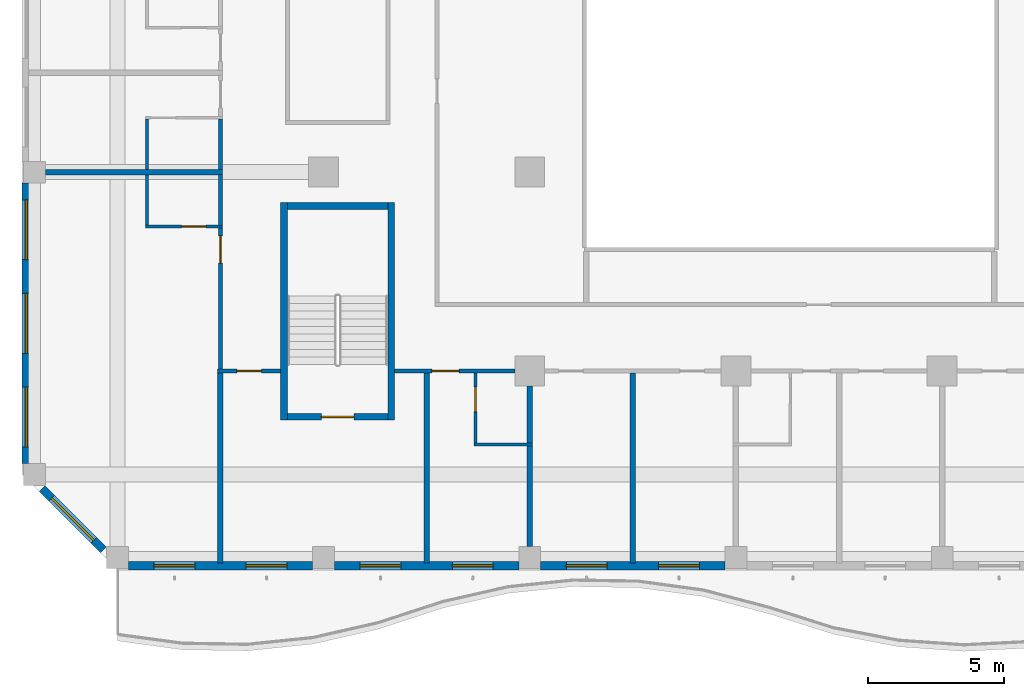
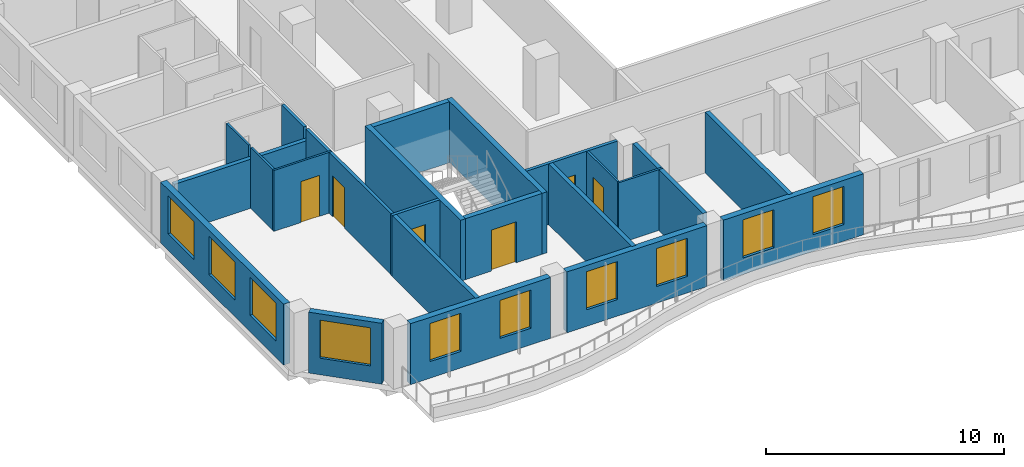
# One storey, part 2 of 22: 25 walls, 10 windows, 6 doors, 16 openings.
"""IFC4 building model written with IfcOpenShell, lengths in metres."""

from ifc_helpers import new_model, si_unit, direction, frame, frame_2d, origin, place, context, subcontext, project, spatial, rectangle, extrude, source, transform, mapped, material, layer, layer_set, type_object, element, fill, save


model = new_model("IFC4")

# Units and contexts
model_context = context("Model", 3, precision=1e-05, world=origin(), true_north=direction((0.0, 1.0)))
body_context = subcontext(model_context, "Body", "Model", "MODEL_VIEW")
ifc_project = project(units=[si_unit("LENGTHUNIT", "METRE"), si_unit("AREAUNIT", "SQUARE_METRE"), si_unit("VOLUMEUNIT", "CUBIC_METRE"), si_unit("PLANEANGLEUNIT", "RADIAN"), si_unit("MASSUNIT", "GRAM", prefix="KILO")], contexts=[model_context])

# Site, building, storey
site_placement = place(None, origin())
site = spatial("IfcSite", under=ifc_project, at=site_placement, CompositionType="ELEMENT")
building_placement = place(site_placement, origin())
building = spatial("IfcBuilding", under=site, at=building_placement, Name="Kilnfold Tower and Market Hall", CompositionType="ELEMENT")
storey_placement = place(building_placement, frame((0.0, 0.0, 143.89990234375)))
storey = spatial("IfcBuildingStorey", under=building, at=storey_placement, Name="L32", CompositionType="ELEMENT", Elevation=143.89990234375)

# Wall, opening, door
ifc_material_1 = material(Name="Gypsum board on steel studs", Category="steel")
ifc_layer_1 = layer(ifc_material_1, 0.14990234375)
ifc_layer_set_1 = layer_set([ifc_layer_1], Name="Gypsum board on steel studs")
wall_type_1 = type_object("IfcWallType", Name="WALL CORRIDOR 150", PredefinedType="PARTITIONING", material=ifc_layer_set_1)
wall_1_placement = place(storey_placement, frame((-13.550048828125, -13.93798828125, 0.0), z_axis=(0.0, 0.0, 1.0), x_axis=(1.0, 0.0, 0.0)))
wall_1 = element("IfcWall", 1, at=wall_1_placement, inside=storey, type_object=wall_type_1, Name="Partition LY21.1", PredefinedType="PARTITIONING", context=body_context, shape_type="SweptSolid", body=[
    extrude(rectangle(XDim=4.4169921875, YDim=0.14990234375, at=frame_2d((2.20849609375, 0.0))), origin(), (0.0, 0.0, 1.0), 3.1201171875),
])
opening_1_placement = place(wall_1_placement, frame((1.364990234375, 0.0, 0.0)))
opening_1 = element("IfcOpeningElement", 2, at=opening_1_placement, cuts=wall_1, Name="Opening D1", PredefinedType="OPENING", context=body_context, shape_type="SweptSolid", body=[
    extrude(rectangle(XDim=1.0, YDim=2.10009765625, at=frame_2d((0.5, 1.050048828125))), frame((0.0, 0.0849609375, 0.0), z_axis=(0.0, -1.0, 0.0), x_axis=(1.0, 0.0, 0.0)), (0.0, 0.0, 1.0), 0.169921875),
])
ifc_material_2 = material(Name="Timber veneer door leaf in steel frame", Category="steel")
door_type_1 = type_object("IfcDoorType", Name="DOOR ENTRY 1000 X2100", OperationType="NOTDEFINED", PredefinedType="DOOR", material=ifc_material_2)
door_1_placement = place(opening_1_placement, origin())
door_1 = element("IfcDoor", 3, at=door_1_placement, inside=storey, type_object=door_type_1, Name="Door D1", OperationType="SINGLE_SWING_LEFT", OverallHeight=2.10009765625, OverallWidth=1.0, PredefinedType="DOOR", context=body_context, shape_type="SweptSolid", body=[
    extrude(rectangle(XDim=1.0, YDim=2.10009765625, at=frame_2d((0.5, 1.050048828125))), frame((0.0, 0.02490234375, 0.0), z_axis=(0.0, -1.0, 0.0), x_axis=(1.0, 0.0, 0.0)), (0.0, 0.0, 1.0), 0.050048828125),
])
fill(opening_1, door_1)

wall_2_placement = place(storey_placement, frame((-20.05908203125, -13.93798828125, 0.0), z_axis=(0.0, 0.0, 1.0), x_axis=(1.0, 0.0, 0.0)))
wall_2 = element("IfcWall", 4, at=wall_2_placement, inside=storey, type_object=wall_type_1, Name="Partition LY21.2", PredefinedType="PARTITIONING", context=body_context, shape_type="SweptSolid", body=[
    extrude(rectangle(XDim=2.30908203125, YDim=0.14990234375, at=frame_2d((1.154541015625, 0.0))), origin(), (0.0, 0.0, 1.0), 3.1201171875),
])
opening_2_placement = place(wall_2_placement, frame((0.705078125, 0.0, 0.0)))
opening_2 = element("IfcOpeningElement", 5, at=opening_2_placement, cuts=wall_2, Name="Opening D2", PredefinedType="OPENING", context=body_context, shape_type="SweptSolid", body=[
    extrude(rectangle(XDim=0.89990234375, YDim=2.10009765625, at=frame_2d((0.449951171875, 1.050048828125))), frame((0.0, 0.0849609375, 0.0), z_axis=(0.0, -1.0, 0.0), x_axis=(1.0, 0.0, 0.0)), (0.0, 0.0, 1.0), 0.169921875),
])
ifc_material_3 = material(Name="Timber veneer door leaf in steel frame", Category="steel")
door_type_2 = type_object("IfcDoorType", Name="DOOR ROOM 900 X2100", OperationType="NOTDEFINED", PredefinedType="DOOR", material=ifc_material_3)
door_2_placement = place(opening_2_placement, origin())
door_2 = element("IfcDoor", 6, at=door_2_placement, inside=storey, type_object=door_type_2, Name="Door D2", OperationType="SINGLE_SWING_RIGHT", OverallHeight=2.10009765625, OverallWidth=0.89990234375, PredefinedType="DOOR", context=body_context, shape_type="SweptSolid", body=[
    extrude(rectangle(XDim=0.89990234375, YDim=2.10009765625, at=frame_2d((0.449951171875, 1.050048828125))), frame((0.0, 0.02490234375, 0.0), z_axis=(0.0, -1.0, 0.0), x_axis=(1.0, 0.0, 0.0)), (0.0, 0.0, 1.0), 0.050048828125),
])
fill(opening_2, door_2)

wall_3_placement = place(storey_placement, frame((-19.958984375, -13.863037109375, 0.0), z_axis=(0.0, 0.0, 1.0), x_axis=(0.0, 1.0, 0.0)))
wall_3 = element("IfcWall", 7, at=wall_3_placement, inside=storey, type_object=wall_type_1, Name="Partition LY21.10", PredefinedType="PARTITIONING", context=body_context, shape_type="SweptSolid", body=[
    extrude(rectangle(XDim=5.197998046875, YDim=0.14990234375, at=frame_2d((2.59912109375, 0.0))), origin(), (0.0, 0.0, 1.0), 3.1201171875),
])
opening_3_placement = place(wall_3_placement, frame((3.89501953125, 0.0, 0.0)))
opening_3 = element("IfcOpeningElement", 8, at=opening_3_placement, cuts=wall_3, Name="Opening D1", PredefinedType="OPENING", context=body_context, shape_type="SweptSolid", body=[
    extrude(rectangle(XDim=1.0, YDim=2.10009765625, at=frame_2d((0.5, 1.050048828125))), frame((0.0, 0.0849609375, 0.0), z_axis=(0.0, -1.0, 0.0), x_axis=(1.0, 0.0, 0.0)), (0.0, 0.0, 1.0), 0.169921875),
])
door_3_placement = place(opening_3_placement, origin())
door_3 = element("IfcDoor", 9, at=door_3_placement, inside=storey, type_object=door_type_1, Name="Door D1", OperationType="SINGLE_SWING_RIGHT", OverallHeight=2.10009765625, OverallWidth=1.0, PredefinedType="DOOR", context=body_context, shape_type="SweptSolid", body=[
    extrude(rectangle(XDim=1.0, YDim=2.10009765625, at=frame_2d((0.5, 1.050048828125))), frame((0.0, 0.02490234375, 0.0), z_axis=(0.0, -1.0, 0.0), x_axis=(1.0, 0.0, 0.0)), (0.0, 0.0, 1.0), 0.050048828125),
])
fill(opening_3, door_3)

# Walls
for number, where, z_axis, x_axis, name in (
    (10, (-19.958984375, -8.5849609375, 0.0), (0.0, 0.0, 1.0), (0.0, 1.0, 0.0), "Partition LY21.11"),
    (11, (-19.958984375, -6.534912109375, 0.0), (0.0, 0.0, 1.0), (0.0, 1.0, 0.0), "Partition LY21.13"),
):
    element("IfcWall", number, at=place(storey_placement, frame(where, z_axis=z_axis, x_axis=x_axis)), inside=storey, type_object=wall_type_1, Name=name, PredefinedType="PARTITIONING", context=body_context, shape_type="SweptSolid", body=[
        extrude(rectangle(XDim=1.869873046875, YDim=0.14990234375, at=frame_2d((0.93505859375, 0.0))), origin(), (0.0, 0.0, 1.0), 3.1201171875),
    ])

# Wall, opening, door
ifc_material_4 = material(Name="Gypsum board on steel studs", Category="steel")
ifc_layer_2 = layer(ifc_material_4, 0.10009765625)
ifc_layer_set_2 = layer_set([ifc_layer_2], Name="Gypsum board on steel studs")
wall_type_2 = type_object("IfcWallType", Name="WALL PARTITION 100", PredefinedType="PARTITIONING", material=ifc_layer_set_2)
wall_4_placement = place(storey_placement, frame((-10.5830078125, -16.590087890625, 0.0), z_axis=(0.0, 0.0, 1.0), x_axis=(0.0, 1.0, 0.0)))
wall_4 = element("IfcWall", 12, at=wall_4_placement, inside=storey, type_object=wall_type_2, Name="Partition LY21.47", PredefinedType="PARTITIONING", context=body_context, shape_type="SweptSolid", body=[
    extrude(rectangle(XDim=2.5751953125, YDim=0.10009765625, at=frame_2d((1.28759765625, 0.0))), origin(), (0.0, 0.0, 1.0), 3.1201171875),
])
opening_4_placement = place(wall_4_placement, frame((1.156005859375, 0.0, 0.0)))
opening_4 = element("IfcOpeningElement", 13, at=opening_4_placement, cuts=wall_4, Name="Opening D3", PredefinedType="OPENING", context=body_context, shape_type="SweptSolid", body=[
    extrude(rectangle(XDim=0.89990234375, YDim=2.10009765625, at=frame_2d((0.449951171875, 1.050048828125))), frame((0.0, 0.06005859375, 0.0), z_axis=(0.0, -1.0, 0.0), x_axis=(1.0, 0.0, 0.0)), (0.0, 0.0, 1.0), 0.1201171875),
])
ifc_material_5 = material(Name="Timber veneer door leaf in steel frame", Category="steel")
door_type_3 = type_object("IfcDoorType", Name="DOOR WC 900 X2100", OperationType="NOTDEFINED", PredefinedType="DOOR", material=ifc_material_5)
door_4_placement = place(opening_4_placement, origin())
door_4 = element("IfcDoor", 14, at=door_4_placement, inside=storey, type_object=door_type_3, Name="Door D3", OperationType="SINGLE_SWING_RIGHT", OverallHeight=2.10009765625, OverallWidth=0.89990234375, PredefinedType="DOOR", context=body_context, shape_type="SweptSolid", body=[
    extrude(rectangle(XDim=0.89990234375, YDim=2.10009765625, at=frame_2d((0.449951171875, 1.050048828125))), frame((0.0, 0.02490234375, 0.0), z_axis=(0.0, -1.0, 0.0), x_axis=(1.0, 0.0, 0.0)), (0.0, 0.0, 1.0), 0.050048828125),
])
fill(opening_4, door_4)

# Walls
wall_5_placement = place(storey_placement, frame((-10.633056640625, -16.639892578125, 0.0), z_axis=(0.0, 0.0, 1.0), x_axis=(1.0, 0.0, 0.0)))
element("IfcWall", 15, at=wall_5_placement, inside=storey, type_object=wall_type_2, Name="Partition LY21.48", PredefinedType="PARTITIONING", context=body_context, shape_type="SweptSolid", body=[
    extrude(rectangle(XDim=2.150146484375, YDim=0.10009765625, at=frame_2d((1.0751953125, 0.0))), origin(), (0.0, 0.0, 1.0), 3.1201171875),
])
wall_6_placement = place(storey_placement, frame((-22.658935546875, -8.574951171875, 0.0), z_axis=(0.0, 0.0, 1.0), x_axis=(0.0, 1.0, 0.0)))
element("IfcWall", 16, at=wall_6_placement, inside=storey, type_object=wall_type_2, Name="Partition LY21.65", PredefinedType="PARTITIONING", context=body_context, shape_type="SweptSolid", body=[
    extrude(rectangle(XDim=1.849853515625, YDim=0.10009765625, at=frame_2d((0.9248046875, 0.0))), origin(), (0.0, 0.0, 1.0), 3.1201171875),
])

# Wall, opening, door
wall_7_placement = place(storey_placement, frame((-19.885986328125, -8.625, 0.0), z_axis=(0.0, 0.0, 1.0), x_axis=(-1.0, 0.0, 0.0)))
wall_7 = element("IfcWall", 17, at=wall_7_placement, inside=storey, type_object=wall_type_2, Name="Partition LY21.66", PredefinedType="PARTITIONING", context=body_context, shape_type="SweptSolid", body=[
    extrude(rectangle(XDim=2.822998046875, YDim=0.10009765625, at=frame_2d((1.41162109375, 0.0))), origin(), (0.0, 0.0, 1.0), 3.1201171875),
])
opening_5_placement = place(wall_7_placement, frame((0.60595703125, 0.0, 0.0)))
opening_5 = element("IfcOpeningElement", 18, at=opening_5_placement, cuts=wall_7, Name="Opening D3", PredefinedType="OPENING", context=body_context, shape_type="SweptSolid", body=[
    extrude(rectangle(XDim=0.89990234375, YDim=2.10009765625, at=frame_2d((0.449951171875, 1.050048828125))), frame((0.0, 0.06005859375, 0.0), z_axis=(0.0, -1.0, 0.0), x_axis=(1.0, 0.0, 0.0)), (0.0, 0.0, 1.0), 0.1201171875),
])
door_5_placement = place(opening_5_placement, origin())
door_5 = element("IfcDoor", 19, at=door_5_placement, inside=storey, type_object=door_type_3, Name="Door D3", OperationType="SINGLE_SWING_LEFT", OverallHeight=2.10009765625, OverallWidth=0.89990234375, PredefinedType="DOOR", context=body_context, shape_type="SweptSolid", body=[
    extrude(rectangle(XDim=0.89990234375, YDim=2.10009765625, at=frame_2d((0.449951171875, 1.050048828125))), frame((0.0, 0.02490234375, 0.0), z_axis=(0.0, -1.0, 0.0), x_axis=(1.0, 0.0, 0.0)), (0.0, 0.0, 1.0), 0.050048828125),
])
fill(opening_5, door_5)

# Walls
wall_8_placement = place(storey_placement, frame((-22.660888671875, -6.52490234375, 0.0), z_axis=(0.0, 0.0, 1.0), x_axis=(0.0, 1.0, 0.0)))
element("IfcWall", 20, at=wall_8_placement, inside=storey, type_object=wall_type_2, Name="Partition LY21.69", PredefinedType="PARTITIONING", context=body_context, shape_type="SweptSolid", body=[
    extrude(rectangle(XDim=1.849853515625, YDim=0.10009765625, at=frame_2d((0.9248046875, 0.0))), origin(), (0.0, 0.0, 1.0), 3.1201171875),
])
ifc_material_6 = material(Name="Gypsum board on steel studs", Category="steel")
ifc_layer_3 = layer(ifc_material_6, 0.199951171875)
ifc_layer_set_3 = layer_set([ifc_layer_3], Name="Gypsum board on steel studs")
wall_type_3 = type_object("IfcWallType", Name="WALL PARTY 200", PredefinedType="PARTITIONING", material=ifc_layer_set_3)
for number, where, z_axis, x_axis, name in (
    (21, (-12.375, -21.0, 0.0), (0.0, 0.0, 1.0), (0.0, 1.0, 0.0), "Partition LY21.45"),
    (22, (-19.958984375, -21.0, 0.0), (0.0, 0.0, 1.0), (0.0, 1.0, 0.0), "Partition LY21.46"),
):
    element("IfcWall", number, at=place(storey_placement, frame(where, z_axis=z_axis, x_axis=x_axis)), inside=storey, type_object=wall_type_3, Name=name, PredefinedType="PARTITIONING", context=body_context, shape_type="SweptSolid", body=[
        extrude(rectangle(XDim=6.985107421875, YDim=0.199951171875, at=frame_2d((3.49267578125, 0.0))), origin(), (0.0, 0.0, 1.0), 3.1201171875),
    ])
wall_9_placement = place(storey_placement, frame((-8.5830078125, -20.39990234375, 0.0), z_axis=(0.0, 0.0, 1.0), x_axis=(0.0, 1.0, 0.0)))
element("IfcWall", 23, at=wall_9_placement, inside=storey, type_object=wall_type_3, Name="Partition LY21.49", PredefinedType="PARTITIONING", context=body_context, shape_type="SweptSolid", body=[
    extrude(rectangle(XDim=3.7099609375, YDim=0.199951171875, at=frame_2d((1.85498046875, 0.0))), origin(), (0.0, 0.0, 1.0), 3.1201171875),
])
wall_10_placement = place(storey_placement, frame((-8.5830078125, -16.590087890625, 0.0), z_axis=(0.0, 0.0, 1.0), x_axis=(0.0, 1.0, 0.0)))
element("IfcWall", 24, at=wall_10_placement, inside=storey, type_object=wall_type_3, Name="Partition LY21.50", PredefinedType="PARTITIONING", context=body_context, shape_type="SweptSolid", body=[
    extrude(rectangle(XDim=2.10205078125, YDim=0.199951171875, at=frame_2d((1.051025390625, 0.0))), origin(), (0.0, 0.0, 1.0), 3.1201171875),
])
wall_11_placement = place(storey_placement, frame((-4.7919921875, -21.0, 0.0), z_axis=(0.0, 0.0, 1.0), x_axis=(0.0, 1.0, 0.0)))
element("IfcWall", 25, at=wall_11_placement, inside=storey, type_object=wall_type_3, Name="Partition LY21.51", PredefinedType="PARTITIONING", context=body_context, shape_type="SweptSolid", body=[
    extrude(rectangle(XDim=6.985107421875, YDim=0.199951171875, at=frame_2d((3.49267578125, 0.0))), origin(), (0.0, 0.0, 1.0), 3.1201171875),
])
wall_12_placement = place(storey_placement, frame((-26.39990234375, -6.625, 0.0), z_axis=(0.0, 0.0, 1.0), x_axis=(1.0, 0.0, 0.0)))
element("IfcWall", 26, at=wall_12_placement, inside=storey, type_object=wall_type_3, Name="Partition LY21.67", PredefinedType="PARTITIONING", context=body_context, shape_type="SweptSolid", body=[
    extrude(rectangle(XDim=6.513916015625, YDim=0.199951171875, at=frame_2d((3.2568359375, 0.0))), origin(), (0.0, 0.0, 1.0), 2.52001953125),
])

# Wall, opening, door
ifc_material_7 = material(Name="Concrete C70", Category="concrete")
ifc_layer_4 = layer(ifc_material_7, 0.25)
ifc_layer_set_4 = layer_set([ifc_layer_4], Name="Concrete C70")
wall_type_4 = type_object("IfcWallType", Name="CORE WALL 250 C70", PredefinedType="SHEAR", material=ifc_layer_set_4)
shared_shape_1 = source(origin(), body_context, "Body", "SweptSolid", [
    extrude(rectangle(XDim=3.699951171875, YDim=0.25, at=frame_2d((1.85009765625, 0.0))), origin(), (0.0, 0.0, 1.0), 3.1201171875),
])
wall_13_placement = place(storey_placement, frame((-17.5, -15.625, 0.0), z_axis=(0.0, 0.0, 1.0), x_axis=(1.0, 0.0, 0.0)))
wall_13 = element("IfcWall", 27, at=wall_13_placement, inside=storey, type_object=wall_type_4, Name="Stair enclosure ST3", PredefinedType="SHEAR", context=body_context, shape_type="MappedRepresentation", body=[
    mapped(shared_shape_1, transform((0.0, 0.0, 0.0))),
])
opening_6_placement = place(wall_13_placement, frame((1.25, 0.0, 0.0)))
opening_6 = element("IfcOpeningElement", 28, at=opening_6_placement, cuts=wall_13, Name="Opening SD1", PredefinedType="OPENING", context=body_context, shape_type="SweptSolid", body=[
    extrude(rectangle(XDim=1.199951171875, YDim=2.10009765625, at=frame_2d((0.60009765625, 1.050048828125))), frame((0.0, 0.135009765625, 0.0), z_axis=(0.0, -1.0, 0.0), x_axis=(1.0, 0.0, 0.0)), (0.0, 0.0, 1.0), 0.27001953125),
])
ifc_material_8 = material(Name="Steel door set with fire-resisting leaf", Category="steel")
door_type_4 = type_object("IfcDoorType", Name="STAIR FLOOR DOOR 1200X2100", OperationType="NOTDEFINED", PredefinedType="DOOR", material=ifc_material_8)
door_6_placement = place(opening_6_placement, origin())
door_6 = element("IfcDoor", 29, at=door_6_placement, inside=storey, type_object=door_type_4, Name="Exit stair ST3 door", OperationType="DOUBLE_DOOR_SINGLE_SWING", OverallHeight=2.10009765625, OverallWidth=1.199951171875, PredefinedType="DOOR", context=body_context, shape_type="SweptSolid", body=[
    extrude(rectangle(XDim=1.199951171875, YDim=2.10009765625, at=frame_2d((0.60009765625, 1.050048828125))), frame((0.0, 0.02490234375, 0.0), z_axis=(0.0, -1.0, 0.0), x_axis=(1.0, 0.0, 0.0)), (0.0, 0.0, 1.0), 0.050048828125),
])
fill(opening_6, door_6)

# Walls
wall_14_placement = place(storey_placement, frame((-17.5, -7.875, 0.0), z_axis=(0.0, 0.0, 1.0), x_axis=(1.0, 0.0, 0.0)))
element("IfcWall", 30, at=wall_14_placement, inside=storey, type_object=wall_type_4, Name="Stair enclosure ST3", PredefinedType="SHEAR", context=body_context, shape_type="MappedRepresentation", body=[
    mapped(shared_shape_1, transform((0.0, 0.0, 0.0))),
])
shared_shape_2 = source(origin(), body_context, "Body", "SweptSolid", [
    extrude(rectangle(XDim=8.0, YDim=0.25, at=frame_2d((4.0, 0.0))), origin(), (0.0, 0.0, 1.0), 3.1201171875),
])
for number, where, z_axis, x_axis, name in (
    (31, (-17.625, -15.75, 0.0), (0.0, 0.0, 1.0), (0.0, 1.0, 0.0), "Stair enclosure ST3"),
    (32, (-13.675048828125, -15.75, 0.0), (0.0, 0.0, 1.0), (0.0, 1.0, 0.0), "Stair enclosure ST3"),
):
    element("IfcWall", number, at=place(storey_placement, frame(where, z_axis=z_axis, x_axis=x_axis)), inside=storey, type_object=wall_type_4, Name=name, PredefinedType="SHEAR", context=body_context, shape_type="MappedRepresentation", body=[
        mapped(shared_shape_2, transform((0.0, 0.0, 0.0))),
    ])

# Wall, openings, windows
ifc_material_9 = material(Name="Precast concrete C50/60", Category="concrete")
ifc_layer_5 = layer(ifc_material_9, 0.300048828125)
ifc_layer_set_5 = layer_set([ifc_layer_5], Name="Precast concrete C50/60")
wall_type_5 = type_object("IfcWallType", Name="PRECAST WALL 300", PredefinedType="SOLIDWALL", material=ifc_layer_set_5)
shared_shape_3 = source(origin(), body_context, "Body", "SweptSolid", [
    extrude(rectangle(XDim=6.783447265625, YDim=0.300048828125, at=frame_2d((3.3916015625, 0.0))), origin(), (0.0, 0.0, 1.0), 3.1201171875),
])
wall_15_placement = place(storey_placement, frame((-23.35009765625, -21.10009765625, 0.0), z_axis=(0.0, 0.0, 1.0), x_axis=(1.0, 0.0, 0.0)))
wall_15 = element("IfcWall", 33, at=wall_15_placement, inside=storey, type_object=wall_type_5, Name="External wall L32 S", PredefinedType="SOLIDWALL", context=body_context, shape_type="MappedRepresentation", body=[
    mapped(shared_shape_3, transform((0.0, 0.0, 0.0))),
])
opening_7_placement = place(wall_15_placement, frame((0.94580078125, 0.0, 0.85009765625)))
opening_7 = element("IfcOpeningElement", 34, at=opening_7_placement, cuts=wall_15, Name="Opening W4", PredefinedType="OPENING", context=body_context, shape_type="SweptSolid", body=[
    extrude(rectangle(XDim=1.5, YDim=1.949951171875, at=frame_2d((0.75, 0.97509765625))), frame((0.0, 0.16015625, 0.0), z_axis=(0.0, -1.0, 0.0), x_axis=(1.0, 0.0, 0.0)), (0.0, 0.0, 1.0), 0.320068359375),
])
opening_8_placement = place(wall_15_placement, frame((4.33740234375, 0.0, 0.85009765625)))
opening_8 = element("IfcOpeningElement", 35, at=opening_8_placement, cuts=wall_15, Name="Opening W4", PredefinedType="OPENING", context=body_context, shape_type="SweptSolid", body=[
    extrude(rectangle(XDim=1.5, YDim=1.949951171875, at=frame_2d((0.75, 0.97509765625))), frame((0.0, 0.16015625, 0.0), z_axis=(0.0, -1.0, 0.0), x_axis=(1.0, 0.0, 0.0)), (0.0, 0.0, 1.0), 0.320068359375),
])
ifc_material_10 = material(Name="Aluminium frame and double glazing", Category="aluminium")
window_type_1 = type_object("IfcWindowType", Name="WINDOW W4 1500X1950", PartitioningType="SINGLE_PANEL", PredefinedType="WINDOW", material=ifc_material_10)
window_1_placement = place(opening_7_placement, origin())
window_1 = element("IfcWindow", 36, at=window_1_placement, inside=storey, type_object=window_type_1, Name="Window W4 L32 S-1", OverallHeight=1.949951171875, OverallWidth=1.5, PartitioningType="SINGLE_PANEL", PredefinedType="WINDOW", context=body_context, shape_type="SweptSolid", body=[
    extrude(rectangle(XDim=1.5, YDim=1.949951171875, at=frame_2d((0.75, 0.97509765625))), frame((0.0, 0.030029296875, 0.0), z_axis=(0.0, -1.0, 0.0), x_axis=(1.0, 0.0, 0.0)), (0.0, 0.0, 1.0), 0.06005859375),
])
fill(opening_7, window_1)
window_2_placement = place(opening_8_placement, origin())
window_2 = element("IfcWindow", 37, at=window_2_placement, inside=storey, type_object=window_type_1, Name="Window W4 L32 S-2", OverallHeight=1.949951171875, OverallWidth=1.5, PartitioningType="SINGLE_PANEL", PredefinedType="WINDOW", context=body_context, shape_type="SweptSolid", body=[
    extrude(rectangle(XDim=1.5, YDim=1.949951171875, at=frame_2d((0.75, 0.97509765625))), frame((0.0, 0.030029296875, 0.0), z_axis=(0.0, -1.0, 0.0), x_axis=(1.0, 0.0, 0.0)), (0.0, 0.0, 1.0), 0.06005859375),
])
fill(opening_8, window_2)

wall_16_placement = place(storey_placement, frame((-8.183349609375, -21.10009765625, 0.0), z_axis=(0.0, 0.0, 1.0), x_axis=(1.0, 0.0, 0.0)))
wall_16 = element("IfcWall", 38, at=wall_16_placement, inside=storey, type_object=wall_type_5, Name="External wall L32 S", PredefinedType="SOLIDWALL", context=body_context, shape_type="MappedRepresentation", body=[
    mapped(shared_shape_3, transform((0.0, 0.0, 0.0))),
])
opening_9_placement = place(wall_16_placement, frame((0.94580078125, 0.0, 0.85009765625)))
opening_9 = element("IfcOpeningElement", 39, at=opening_9_placement, cuts=wall_16, Name="Opening W4", PredefinedType="OPENING", context=body_context, shape_type="SweptSolid", body=[
    extrude(rectangle(XDim=1.5, YDim=1.949951171875, at=frame_2d((0.75, 0.97509765625))), frame((0.0, 0.16015625, 0.0), z_axis=(0.0, -1.0, 0.0), x_axis=(1.0, 0.0, 0.0)), (0.0, 0.0, 1.0), 0.320068359375),
])
opening_10_placement = place(wall_16_placement, frame((4.33740234375, 0.0, 0.85009765625)))
opening_10 = element("IfcOpeningElement", 40, at=opening_10_placement, cuts=wall_16, Name="Opening W4", PredefinedType="OPENING", context=body_context, shape_type="SweptSolid", body=[
    extrude(rectangle(XDim=1.5, YDim=1.949951171875, at=frame_2d((0.75, 0.97509765625))), frame((0.0, 0.16015625, 0.0), z_axis=(0.0, -1.0, 0.0), x_axis=(1.0, 0.0, 0.0)), (0.0, 0.0, 1.0), 0.320068359375),
])
window_3_placement = place(opening_9_placement, origin())
window_3 = element("IfcWindow", 41, at=window_3_placement, inside=storey, type_object=window_type_1, Name="Window W4 L32 S-1", OverallHeight=1.949951171875, OverallWidth=1.5, PartitioningType="SINGLE_PANEL", PredefinedType="WINDOW", context=body_context, shape_type="SweptSolid", body=[
    extrude(rectangle(XDim=1.5, YDim=1.949951171875, at=frame_2d((0.75, 0.97509765625))), frame((0.0, 0.030029296875, 0.0), z_axis=(0.0, -1.0, 0.0), x_axis=(1.0, 0.0, 0.0)), (0.0, 0.0, 1.0), 0.06005859375),
])
fill(opening_9, window_3)
window_4_placement = place(opening_10_placement, origin())
window_4 = element("IfcWindow", 42, at=window_4_placement, inside=storey, type_object=window_type_1, Name="Window W4 L32 S-2", OverallHeight=1.949951171875, OverallWidth=1.5, PartitioningType="SINGLE_PANEL", PredefinedType="WINDOW", context=body_context, shape_type="SweptSolid", body=[
    extrude(rectangle(XDim=1.5, YDim=1.949951171875, at=frame_2d((0.75, 0.97509765625))), frame((0.0, 0.030029296875, 0.0), z_axis=(0.0, -1.0, 0.0), x_axis=(1.0, 0.0, 0.0)), (0.0, 0.0, 1.0), 0.06005859375),
])
fill(opening_10, window_4)

shared_shape_4 = source(origin(), body_context, "Body", "SweptSolid", [
    extrude(rectangle(XDim=6.783203125, YDim=0.300048828125, at=frame_2d((3.3916015625, 0.0))), origin(), (0.0, 0.0, 1.0), 3.1201171875),
])
wall_17_placement = place(storey_placement, frame((-15.7666015625, -21.10009765625, 0.0), z_axis=(0.0, 0.0, 1.0), x_axis=(1.0, 0.0, 0.0)))
wall_17 = element("IfcWall", 43, at=wall_17_placement, inside=storey, type_object=wall_type_5, Name="External wall L32 S", PredefinedType="SOLIDWALL", context=body_context, shape_type="MappedRepresentation", body=[
    mapped(shared_shape_4, transform((0.0, 0.0, 0.0))),
])
opening_11_placement = place(wall_17_placement, frame((0.94580078125, 0.0, 0.85009765625)))
opening_11 = element("IfcOpeningElement", 44, at=opening_11_placement, cuts=wall_17, Name="Opening W4", PredefinedType="OPENING", context=body_context, shape_type="SweptSolid", body=[
    extrude(rectangle(XDim=1.5, YDim=1.949951171875, at=frame_2d((0.75, 0.97509765625))), frame((0.0, 0.16015625, 0.0), z_axis=(0.0, -1.0, 0.0), x_axis=(1.0, 0.0, 0.0)), (0.0, 0.0, 1.0), 0.320068359375),
])
opening_12_placement = place(wall_17_placement, frame((4.337646484375, 0.0, 0.85009765625)))
opening_12 = element("IfcOpeningElement", 45, at=opening_12_placement, cuts=wall_17, Name="Opening W4", PredefinedType="OPENING", context=body_context, shape_type="SweptSolid", body=[
    extrude(rectangle(XDim=1.5, YDim=1.949951171875, at=frame_2d((0.75, 0.97509765625))), frame((0.0, 0.16015625, 0.0), z_axis=(0.0, -1.0, 0.0), x_axis=(1.0, 0.0, 0.0)), (0.0, 0.0, 1.0), 0.320068359375),
])
window_5_placement = place(opening_11_placement, origin())
window_5 = element("IfcWindow", 46, at=window_5_placement, inside=storey, type_object=window_type_1, Name="Window W4 L32 S-1", OverallHeight=1.949951171875, OverallWidth=1.5, PartitioningType="SINGLE_PANEL", PredefinedType="WINDOW", context=body_context, shape_type="SweptSolid", body=[
    extrude(rectangle(XDim=1.5, YDim=1.949951171875, at=frame_2d((0.75, 0.97509765625))), frame((0.0, 0.030029296875, 0.0), z_axis=(0.0, -1.0, 0.0), x_axis=(1.0, 0.0, 0.0)), (0.0, 0.0, 1.0), 0.06005859375),
])
fill(opening_11, window_5)
window_6_placement = place(opening_12_placement, origin())
window_6 = element("IfcWindow", 47, at=window_6_placement, inside=storey, type_object=window_type_1, Name="Window W4 L32 S-2", OverallHeight=1.949951171875, OverallWidth=1.5, PartitioningType="SINGLE_PANEL", PredefinedType="WINDOW", context=body_context, shape_type="SweptSolid", body=[
    extrude(rectangle(XDim=1.5, YDim=1.949951171875, at=frame_2d((0.75, 0.97509765625))), frame((0.0, 0.030029296875, 0.0), z_axis=(0.0, -1.0, 0.0), x_axis=(1.0, 0.0, 0.0)), (0.0, 0.0, 1.0), 0.06005859375),
])
fill(opening_12, window_6)

shared_shape_5 = source(origin(), body_context, "Body", "SweptSolid", [
    extrude(rectangle(XDim=10.3251953125, YDim=0.300048828125, at=frame_2d((5.16259765625, 0.0))), origin(), (0.0, 0.0, 1.0), 3.1201171875),
])
wall_18_placement = place(storey_placement, frame((-27.10009765625, -7.02490234375, 0.0), z_axis=(0.0, 0.0, 1.0), x_axis=(0.0, -1.0, 0.0)))
wall_18 = element("IfcWall", 48, at=wall_18_placement, inside=storey, type_object=wall_type_5, Name="External wall L32 W", PredefinedType="SOLIDWALL", context=body_context, shape_type="MappedRepresentation", body=[
    mapped(shared_shape_5, transform((0.0, 0.0, 0.0))),
])
opening_13_placement = place(wall_18_placement, frame((0.620849609375, 0.0, 0.85009765625)))
opening_13 = element("IfcOpeningElement", 49, at=opening_13_placement, cuts=wall_18, Name="Opening W2", PredefinedType="OPENING", context=body_context, shape_type="SweptSolid", body=[
    extrude(rectangle(XDim=2.199951171875, YDim=1.949951171875, at=frame_2d((1.10009765625, 0.97509765625))), frame((0.0, 0.16015625, 0.0), z_axis=(0.0, -1.0, 0.0), x_axis=(1.0, 0.0, 0.0)), (0.0, 0.0, 1.0), 0.320068359375),
])
opening_14_placement = place(wall_18_placement, frame((4.0625, 0.0, 0.85009765625)))
opening_14 = element("IfcOpeningElement", 50, at=opening_14_placement, cuts=wall_18, Name="Opening W2", PredefinedType="OPENING", context=body_context, shape_type="SweptSolid", body=[
    extrude(rectangle(XDim=2.199951171875, YDim=1.949951171875, at=frame_2d((1.10009765625, 0.97509765625))), frame((0.0, 0.16015625, 0.0), z_axis=(0.0, -1.0, 0.0), x_axis=(1.0, 0.0, 0.0)), (0.0, 0.0, 1.0), 0.320068359375),
])
opening_15_placement = place(wall_18_placement, frame((7.504150390625, 0.0, 0.85009765625)))
opening_15 = element("IfcOpeningElement", 51, at=opening_15_placement, cuts=wall_18, Name="Opening W2", PredefinedType="OPENING", context=body_context, shape_type="SweptSolid", body=[
    extrude(rectangle(XDim=2.199951171875, YDim=1.949951171875, at=frame_2d((1.10009765625, 0.97509765625))), frame((0.0, 0.16015625, 0.0), z_axis=(0.0, -1.0, 0.0), x_axis=(1.0, 0.0, 0.0)), (0.0, 0.0, 1.0), 0.320068359375),
])
ifc_material_11 = material(Name="Aluminium frame and double glazing", Category="aluminium")
window_type_2 = type_object("IfcWindowType", Name="WINDOW W2 2200X1950", PartitioningType="SINGLE_PANEL", PredefinedType="WINDOW", material=ifc_material_11)
window_7_placement = place(opening_13_placement, origin())
window_7 = element("IfcWindow", 52, at=window_7_placement, inside=storey, type_object=window_type_2, Name="Window W2 L32 W-1", OverallHeight=1.949951171875, OverallWidth=2.199951171875, PartitioningType="SINGLE_PANEL", PredefinedType="WINDOW", context=body_context, shape_type="SweptSolid", body=[
    extrude(rectangle(XDim=2.199951171875, YDim=1.949951171875, at=frame_2d((1.10009765625, 0.97509765625))), frame((0.0, 0.030029296875, 0.0), z_axis=(0.0, -1.0, 0.0), x_axis=(1.0, 0.0, 0.0)), (0.0, 0.0, 1.0), 0.06005859375),
])
fill(opening_13, window_7)
window_8_placement = place(opening_14_placement, origin())
window_8 = element("IfcWindow", 53, at=window_8_placement, inside=storey, type_object=window_type_2, Name="Window W2 L32 W-2", OverallHeight=1.949951171875, OverallWidth=2.199951171875, PartitioningType="SINGLE_PANEL", PredefinedType="WINDOW", context=body_context, shape_type="SweptSolid", body=[
    extrude(rectangle(XDim=2.199951171875, YDim=1.949951171875, at=frame_2d((1.10009765625, 0.97509765625))), frame((0.0, 0.030029296875, 0.0), z_axis=(0.0, -1.0, 0.0), x_axis=(1.0, 0.0, 0.0)), (0.0, 0.0, 1.0), 0.06005859375),
])
fill(opening_14, window_8)
window_9_placement = place(opening_15_placement, origin())
window_9 = element("IfcWindow", 54, at=window_9_placement, inside=storey, type_object=window_type_2, Name="Window W2 L32 W-3", OverallHeight=1.949951171875, OverallWidth=2.199951171875, PartitioningType="SINGLE_PANEL", PredefinedType="WINDOW", context=body_context, shape_type="SweptSolid", body=[
    extrude(rectangle(XDim=2.199951171875, YDim=1.949951171875, at=frame_2d((1.10009765625, 0.97509765625))), frame((0.0, 0.030029296875, 0.0), z_axis=(0.0, -1.0, 0.0), x_axis=(1.0, 0.0, 0.0)), (0.0, 0.0, 1.0), 0.06005859375),
])
fill(opening_15, window_9)

# Wall, opening, window
shared_shape_6 = source(origin(), body_context, "Body", "SweptSolid", [
    extrude(rectangle(XDim=3.18212890625, YDim=0.300048828125, at=frame_2d((1.591064453125, 0.0))), origin(), (0.0, 0.0, 1.0), 3.1201171875),
])
wall_19_placement = place(storey_placement, frame((-26.518798828125, -18.268798828125, 0.0), z_axis=(0.0, 0.0, 1.0), x_axis=(0.707068419229, -0.707145141063, 0.0)))
wall_19 = element("IfcWall", 55, at=wall_19_placement, inside=storey, type_object=wall_type_5, Name="External wall L32 SW", PredefinedType="SOLIDWALL", context=body_context, shape_type="MappedRepresentation", body=[
    mapped(shared_shape_6, transform((0.0, 0.0, 0.0))),
])
opening_16_placement = place(wall_19_placement, frame((0.490966796875, 0.0, 0.85009765625)))
opening_16 = element("IfcOpeningElement", 56, at=opening_16_placement, cuts=wall_19, Name="Opening W2", PredefinedType="OPENING", context=body_context, shape_type="SweptSolid", body=[
    extrude(rectangle(XDim=2.199951171875, YDim=1.949951171875, at=frame_2d((1.10009765625, 0.97509765625))), frame((0.0, 0.16015625, 0.0), z_axis=(0.0, -1.0, 0.0), x_axis=(1.0, 0.0, 0.0)), (0.0, 0.0, 1.0), 0.320068359375),
])
window_10_placement = place(opening_16_placement, origin())
window_10 = element("IfcWindow", 57, at=window_10_placement, inside=storey, type_object=window_type_2, Name="Window W2 L32 SW-1", OverallHeight=1.949951171875, OverallWidth=2.199951171875, PartitioningType="SINGLE_PANEL", PredefinedType="WINDOW", context=body_context, shape_type="SweptSolid", body=[
    extrude(rectangle(XDim=2.199951171875, YDim=1.949951171875, at=frame_2d((1.10009765625, 0.97509765625))), frame((0.0, 0.030029296875, 0.0), z_axis=(0.0, -1.0, 0.0), x_axis=(1.0, 0.0, 0.0)), (0.0, 0.0, 1.0), 0.06005859375),
])
fill(opening_16, window_10)

save(model, "model.ifc")
